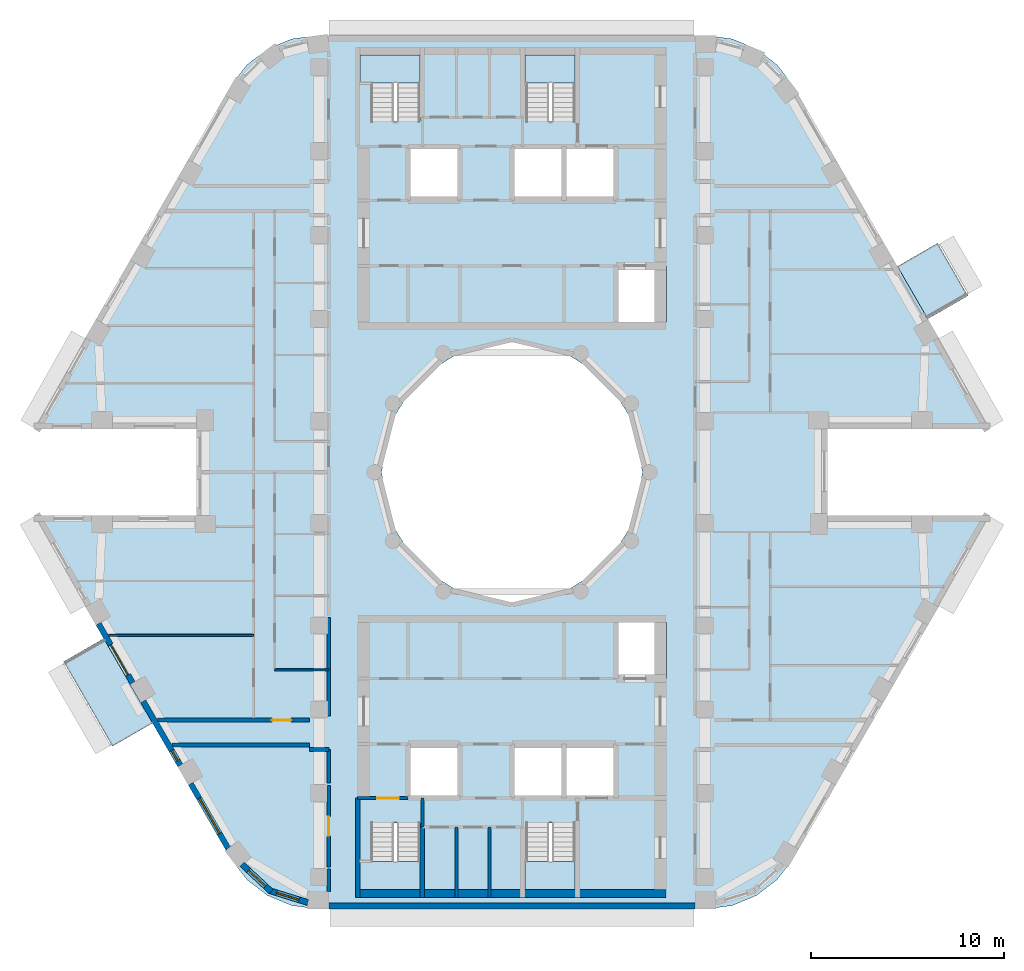
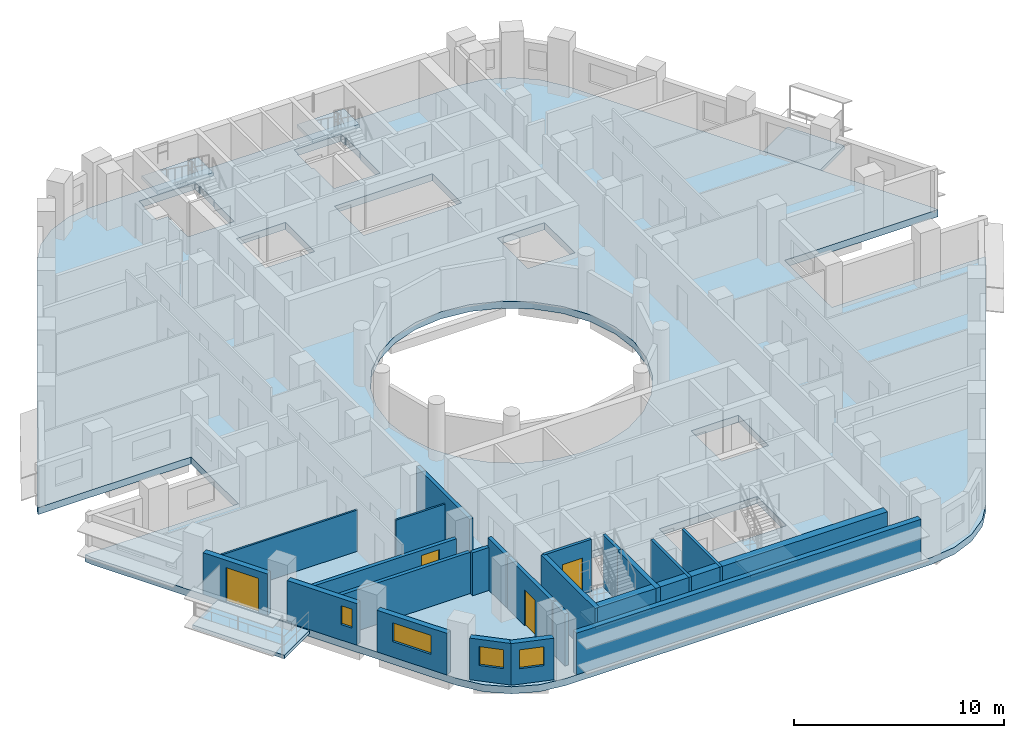
# One storey, part 2 of 16: 22 walls, 7 slabs, 4 doors, 4 windows, 8 openings, 4 elements without a shape of their own.
"""IFC4 building model written with IfcOpenShell, lengths in metres."""

from ifc_helpers import new_model, si_unit, direction, frame, frame_2d, origin, place, context, subcontext, project, spatial, polyline, rectangle, outline, extrude, material, layer, layer_set, type_object, element, fill, aggregate, save


model = new_model("IFC4")

# Units and contexts
model_context = context("Model", 3, precision=1e-05, world=origin(), true_north=direction((0.0, 1.0)))
body_context = subcontext(model_context, "Body", "Model", "MODEL_VIEW")
ifc_project = project(units=[si_unit("LENGTHUNIT", "METRE"), si_unit("AREAUNIT", "SQUARE_METRE"), si_unit("VOLUMEUNIT", "CUBIC_METRE"), si_unit("PLANEANGLEUNIT", "RADIAN"), si_unit("MASSUNIT", "GRAM", prefix="KILO")], contexts=[model_context])

# Site, building, storey
site_placement = place(None, origin())
site = spatial("IfcSite", under=ifc_project, at=site_placement, CompositionType="ELEMENT")
building_placement = place(site_placement, origin())
building = spatial("IfcBuilding", under=site, at=building_placement, Name="Nakaniwa Court", CompositionType="ELEMENT")
storey_placement = place(building_placement, frame((0.0, 0.0, 226.199951171875)))
storey = spatial("IfcBuildingStorey", under=building, at=storey_placement, Name="L58", CompositionType="ELEMENT", Elevation=226.199951171875)

# Slabs
ifc_material_1 = material(Name="Charcoal ceramic paver")
ifc_layer_1 = layer(ifc_material_1, 0.02, Name="Ceramic paver")
ifc_material_2 = material(Name="Cement sand screed")
ifc_layer_2 = layer(ifc_material_2, 0.03, Name="Falls screed")
ifc_material_3 = material(Name="Concrete C40/50", Category="concrete")
ifc_layer_3 = layer(ifc_material_3, 0.15, Name="Balcony slab")
ifc_layer_set_1 = layer_set([ifc_layer_1, ifc_layer_2, ifc_layer_3], Name="Concrete C40/50 balcony slab with ceramic paver finish")
slab_type_1 = type_object("IfcSlabType", Name="Balcony slab 200", PredefinedType="FLOOR", material=ifc_layer_set_1)
slab_1_placement = place(storey_placement, frame((0.0, 0.0, -0.25)))
element("IfcSlab", 1, at=slab_1_placement, inside=storey, type_object=slab_type_1, Name="L58 balcony 01", PredefinedType="FLOOR", context=body_context, shape_type="SweptSolid", body=[
    extrude(outline(polyline([(58.823974609375, 71.377685546875), (61.357421875, 66.989990234375), (59.27880859375, 65.789794921875), (56.74560546875, 70.177734375), (58.823974609375, 71.377685546875)])), origin(), (0.0, 0.0, 1.0), 0.199951171875),
])
slab_2_placement = place(storey_placement, frame((0.0, 0.0, -0.25)))
element("IfcSlab", 2, at=slab_2_placement, inside=storey, type_object=slab_type_1, Name="L58 balcony 02", PredefinedType="FLOOR", context=body_context, shape_type="SweptSolid", body=[
    extrude(outline(polyline([(101.563720703125, 87.95068359375), (99.990234375, 90.676025390625), (102.068603515625, 91.876220703125), (103.64208984375, 89.15087890625), (101.563720703125, 87.95068359375)])), origin(), (0.0, 0.0, 1.0), 0.199951171875),
])
ifc_material_4 = material(Name="Concrete C80/100", Category="concrete")
ifc_layer_4 = layer(ifc_material_4, 0.409912109375)
ifc_layer_set_2 = layer_set([ifc_layer_4], Name="Concrete C80/100")
slab_type_2 = type_object("IfcSlabType", Name="Concrete C80/100 post tensioned floor slab 410", PredefinedType="FLOOR", material=ifc_layer_set_2)
slab_3_placement = place(storey_placement, frame((0.0, 0.0, -0.409912109375)))
element("IfcSlab", 3, at=slab_3_placement, inside=storey, type_object=slab_type_2, Name="FLOOR SLAB", PredefinedType="FLOOR", context=body_context, shape_type="SweptSolid", body=[
    extrude(outline(polyline([(96.349609375, 82.25), (104.7978515625, 82.25), (104.65283203125, 82.60009765625), (94.578125, 100.050048828125), (93.751708984375, 101.126953125), (92.6748046875, 101.953369140625), (91.420654296875, 102.472900390625), (90.07470703125, 102.64990234375), (69.92529296875, 102.64990234375), (68.579345703125, 102.472900390625), (67.3251953125, 101.953369140625), (66.248291015625, 101.126953125), (65.421875, 100.050048828125), (55.34716796875, 82.60009765625), (55.2021484375, 82.25), (63.650390625, 82.25), (63.650390625, 77.75), (55.2021484375, 77.75), (55.34716796875, 77.39990234375), (65.421875, 59.949951171875), (66.248291015625, 58.873046875), (67.3251953125, 58.046630859375), (68.579345703125, 57.527099609375), (69.92529296875, 57.35009765625), (90.07470703125, 57.35009765625), (91.420654296875, 57.527099609375), (92.6748046875, 58.046630859375), (93.751708984375, 58.873046875), (94.578125, 59.949951171875), (104.65283203125, 77.39990234375), (104.7978515625, 77.75), (96.349609375, 77.75), (96.349609375, 82.25)]), holes=[polyline([(81.501953125, 86.580810546875), (80.0, 86.75), (78.498046875, 86.580810546875), (77.0712890625, 86.08154296875), (75.79150390625, 85.27734375), (74.72265625, 84.20849609375), (73.91845703125, 82.9287109375), (73.419189453125, 81.501953125), (73.25, 80.0), (73.419189453125, 78.498046875), (73.91845703125, 77.0712890625), (74.72265625, 75.79150390625), (75.79150390625, 74.72265625), (77.0712890625, 73.91845703125), (78.498046875, 73.419189453125), (80.0, 73.25), (81.501953125, 73.419189453125), (82.9287109375, 73.91845703125), (84.20849609375, 74.72265625), (85.27734375, 75.79150390625), (86.08154296875, 77.0712890625), (86.580810546875, 78.498046875), (86.75, 80.0), (86.580810546875, 81.501953125), (86.08154296875, 82.9287109375), (85.27734375, 84.20849609375), (84.20849609375, 85.27734375), (82.9287109375, 86.08154296875), (81.501953125, 86.580810546875)]), polyline([(72.675048828125, 61.81005859375), (72.675048828125, 59.864990234375), (72.0849609375, 59.864990234375), (72.0849609375, 58.4599609375), (72.125, 58.4599609375), (72.125, 58.074951171875), (75.22509765625, 58.074951171875), (75.22509765625, 58.4599609375), (75.264892578125, 58.4599609375), (75.264892578125, 59.864990234375), (75.22509765625, 59.864990234375), (75.22509765625, 61.81005859375), (72.675048828125, 61.81005859375)]), polyline([(77.300048828125, 65.89990234375), (74.60009765625, 65.89990234375), (74.60009765625, 63.10009765625), (77.300048828125, 63.10009765625), (77.300048828125, 65.89990234375)]), polyline([(80.0, 65.89990234375), (80.0, 63.10009765625), (82.699951171875, 63.10009765625), (85.39990234375, 63.10009765625), (85.39990234375, 65.89990234375), (82.699951171875, 65.89990234375), (80.0, 65.89990234375)]), polyline([(77.300048828125, 96.89990234375), (74.60009765625, 96.89990234375), (74.60009765625, 94.10009765625), (77.300048828125, 94.10009765625), (77.300048828125, 96.89990234375)]), polyline([(80.0, 96.89990234375), (80.0, 94.10009765625), (82.699951171875, 94.10009765625), (85.39990234375, 94.10009765625), (85.39990234375, 96.89990234375), (82.699951171875, 96.89990234375), (80.0, 96.89990234375)]), polyline([(75.264892578125, 100.135009765625), (75.264892578125, 101.5400390625), (75.22509765625, 101.5400390625), (75.22509765625, 101.925048828125), (72.125, 101.925048828125), (72.125, 101.5400390625), (72.0849609375, 101.5400390625), (72.0849609375, 100.135009765625), (72.675048828125, 100.135009765625), (72.675048828125, 98.18994140625), (75.22509765625, 98.18994140625), (75.22509765625, 100.135009765625), (75.264892578125, 100.135009765625)]), polyline([(83.27490234375, 61.81005859375), (80.72509765625, 61.81005859375), (80.72509765625, 59.864990234375), (80.635009765625, 59.864990234375), (80.635009765625, 58.4599609375), (80.675048828125, 58.4599609375), (80.675048828125, 58.074951171875), (83.27490234375, 58.074951171875), (83.27490234375, 58.4599609375), (83.31494140625, 58.4599609375), (83.31494140625, 59.864990234375), (83.27490234375, 59.864990234375), (83.27490234375, 61.81005859375)]), polyline([(88.0, 72.199951171875), (85.39990234375, 72.199951171875), (85.39990234375, 69.300048828125), (88.0, 69.300048828125), (88.0, 72.199951171875)]), polyline([(88.0, 90.699951171875), (85.39990234375, 90.699951171875), (85.39990234375, 87.800048828125), (88.0, 87.800048828125), (88.0, 90.699951171875)]), polyline([(83.31494140625, 100.135009765625), (83.31494140625, 101.5400390625), (83.27490234375, 101.5400390625), (83.27490234375, 101.925048828125), (80.675048828125, 101.925048828125), (80.675048828125, 101.5400390625), (80.635009765625, 101.5400390625), (80.635009765625, 100.135009765625), (80.72509765625, 100.135009765625), (80.72509765625, 98.18994140625), (83.27490234375, 98.18994140625), (83.27490234375, 100.135009765625), (83.31494140625, 100.135009765625)])]), origin(), (0.0, 0.0, 1.0), 0.409912109375),
])

# Stair, slab
stair_type = type_object("IfcStairType", Name="Dog leg stair 1200 wide 18 risers", PredefinedType="HALF_TURN_STAIR", material=ifc_material_4)
stair_1_placement = place(storey_placement, origin())
stair_1 = element("IfcStair", 4, at=stair_1_placement, inside=storey, type_object=stair_type, Name="L58 Stair ST1", PredefinedType="HALF_TURN_STAIR")
ifc_layer_5 = layer(ifc_material_4, 0.199951171875)
ifc_layer_set_3 = layer_set([ifc_layer_5], Name="Concrete C80/100")
slab_type_3 = type_object("IfcSlabType", Name="Stair landing concrete", PredefinedType="LANDING", material=ifc_layer_set_3)
slab_4_placement = place(storey_placement, frame((0.0, 0.0, 1.449951171875)))
slab_4 = element("IfcSlab", 5, at=slab_4_placement, type_object=slab_type_3, Name="ST1 landing 1", PredefinedType="LANDING", context=body_context, shape_type="SweptSolid", body=[
    extrude(outline(polyline([(75.22509765625, 100.175048828125), (75.22509765625, 101.64990234375), (72.125, 101.64990234375), (72.125, 100.175048828125), (75.22509765625, 100.175048828125)])), origin(), (0.0, 0.0, 1.0), 0.2001953125),
])
aggregate(stair_1, [slab_4])

stair_2_placement = place(storey_placement, origin())
stair_2 = element("IfcStair", 6, at=stair_2_placement, inside=storey, type_object=stair_type, Name="L58 Stair ST2", PredefinedType="HALF_TURN_STAIR")
slab_5_placement = place(storey_placement, frame((0.0, 0.0, 1.449951171875)))
slab_5 = element("IfcSlab", 7, at=slab_5_placement, type_object=slab_type_3, Name="ST2 landing 1", PredefinedType="LANDING", context=body_context, shape_type="SweptSolid", body=[
    extrude(outline(polyline([(83.27490234375, 100.175048828125), (83.27490234375, 101.64990234375), (80.675048828125, 101.64990234375), (80.675048828125, 100.175048828125), (83.27490234375, 100.175048828125)])), origin(), (0.0, 0.0, 1.0), 0.2001953125),
])
aggregate(stair_2, [slab_5])

stair_3_placement = place(storey_placement, origin())
stair_3 = element("IfcStair", 8, at=stair_3_placement, inside=storey, type_object=stair_type, Name="L58 Stair ST3", PredefinedType="HALF_TURN_STAIR")
slab_6_placement = place(storey_placement, frame((0.0, 0.0, 1.449951171875)))
slab_6 = element("IfcSlab", 9, at=slab_6_placement, type_object=slab_type_3, Name="ST3 landing 1", PredefinedType="LANDING", context=body_context, shape_type="SweptSolid", body=[
    extrude(outline(polyline([(75.22509765625, 58.35009765625), (75.22509765625, 59.824951171875), (72.125, 59.824951171875), (72.125, 58.35009765625), (75.22509765625, 58.35009765625)])), origin(), (0.0, 0.0, 1.0), 0.2001953125),
])
aggregate(stair_3, [slab_6])

stair_4_placement = place(storey_placement, origin())
stair_4 = element("IfcStair", 10, at=stair_4_placement, inside=storey, type_object=stair_type, Name="L58 Stair ST4", PredefinedType="HALF_TURN_STAIR")
slab_7_placement = place(storey_placement, frame((0.0, 0.0, 1.449951171875)))
slab_7 = element("IfcSlab", 11, at=slab_7_placement, type_object=slab_type_3, Name="ST4 landing 1", PredefinedType="LANDING", context=body_context, shape_type="SweptSolid", body=[
    extrude(outline(polyline([(83.27490234375, 58.35009765625), (83.27490234375, 59.824951171875), (80.675048828125, 59.824951171875), (80.675048828125, 58.35009765625), (83.27490234375, 58.35009765625)])), origin(), (0.0, 0.0, 1.0), 0.2001953125),
])
aggregate(stair_4, [slab_7])

# Walls
ifc_material_5 = material(Name="Acoustic double stud partition")
ifc_layer_6 = layer(ifc_material_5, 0.199951171875)
ifc_layer_set_4 = layer_set([ifc_layer_6], Name="Acoustic double stud partition")
wall_type_1 = type_object("IfcWallType", Name="Acoustic double stud partition 200", PredefinedType="PARTITIONING", material=ifc_layer_set_4)
wall_1_placement = place(storey_placement, frame((62.36181640625, 65.85009765625, 0.0), z_axis=(0.0, 0.0, 1.0), x_axis=(1.0, 0.0, 0.0)))
element("IfcWall", 12, at=wall_1_placement, inside=storey, type_object=wall_type_1, Name="Partition PW-080", PredefinedType="PARTITIONING", context=body_context, shape_type="SweptSolid", body=[
    extrude(rectangle(XDim=7.13818359375, YDim=0.199951171875, at=frame_2d((3.569091796875, 0.0))), origin(), (0.0, 0.0, 1.0), 2.405029296875),
])
wall_2_placement = place(storey_placement, frame((69.5, 65.625, 0.0), z_axis=(0.0, 0.0, 1.0), x_axis=(1.0, 0.0, 0.0)))
element("IfcWall", 13, at=wall_2_placement, inside=storey, type_object=wall_type_1, Name="Partition PW-082", PredefinedType="PARTITIONING", context=body_context, shape_type="SweptSolid", body=[
    extrude(rectangle(XDim=1.0, YDim=0.199951171875, at=frame_2d((0.5, 0.0))), origin(), (0.0, 0.0, 1.0), 2.505126953125),
])

# Wall, opening, door
wall_3_placement = place(storey_placement, frame((61.611328125, 67.14990234375, 0.0), z_axis=(0.0, 0.0, 1.0), x_axis=(1.0, 0.0, 0.0)))
wall_3 = element("IfcWall", 14, at=wall_3_placement, inside=storey, type_object=wall_type_1, Name="Partition PW-084", PredefinedType="PARTITIONING", context=body_context, shape_type="SweptSolid", body=[
    extrude(rectangle(XDim=7.888671875, YDim=0.199951171875, at=frame_2d((3.9443359375, 0.0))), origin(), (0.0, 0.0, 1.0), 2.405029296875),
])
opening_1_placement = place(wall_3_placement, frame((5.93896484375, 0.0, 0.0)))
opening_1 = element("IfcOpeningElement", 15, at=opening_1_placement, cuts=wall_3, Name="Opening D-01-03", PredefinedType="OPENING", context=body_context, shape_type="SweptSolid", body=[
    extrude(rectangle(XDim=1.0, YDim=2.10009765625, at=frame_2d((0.5, 1.050048828125))), frame((0.0, 0.10986328125, 0.0), z_axis=(0.0, -1.0, 0.0), x_axis=(1.0, 0.0, 0.0)), (0.0, 0.0, 1.0), 0.219970703125),
])
ifc_material_6 = material(Name="Solid core timber door set, black veneer", Category="wood")
door_type_1 = type_object("IfcDoorType", Name="Flat entrance door 1000", OperationType="NOTDEFINED", PredefinedType="DOOR", material=ifc_material_6)
door_1_placement = place(opening_1_placement, origin())
door_1 = element("IfcDoor", 16, at=door_1_placement, inside=storey, type_object=door_type_1, Name="Door D-01-03 L58-043", OperationType="SINGLE_SWING_RIGHT", OverallHeight=2.10009765625, OverallWidth=1.0, PredefinedType="DOOR", context=body_context, shape_type="SweptSolid", body=[
    extrude(rectangle(XDim=1.0, YDim=2.10009765625, at=frame_2d((0.5, 1.050048828125))), frame((0.0, 0.02490234375, 0.0), z_axis=(0.0, -1.0, 0.0), x_axis=(1.0, 0.0, 0.0)), (0.0, 0.0, 1.0), 0.050048828125),
])
fill(opening_1, door_1)

# Wall
wall_4_placement = place(storey_placement, frame((70.5, 58.26708984375, 0.0), z_axis=(0.0, 0.0, 1.0), x_axis=(0.0, 1.0, 0.0)))
element("IfcWall", 17, at=wall_4_placement, inside=storey, type_object=wall_type_1, Name="Partition PW-086", PredefinedType="PARTITIONING", context=body_context, shape_type="SweptSolid", body=[
    extrude(rectangle(XDim=1.14599609375, YDim=0.199951171875, at=frame_2d((0.572998046875, 0.0))), origin(), (0.0, 0.0, 1.0), 3.025146484375),
])

# Wall, opening, door
wall_5_placement = place(storey_placement, frame((70.5, 59.527099609375, 0.0), z_axis=(0.0, 0.0, 1.0), x_axis=(0.0, 1.0, 0.0)))
wall_5 = element("IfcWall", 18, at=wall_5_placement, inside=storey, type_object=wall_type_1, Name="Partition PW-087", PredefinedType="PARTITIONING", context=body_context, shape_type="SweptSolid", body=[
    extrude(rectangle(XDim=4.23583984375, YDim=0.199951171875, at=frame_2d((2.117919921875, 0.0))), origin(), (0.0, 0.0, 1.0), 3.025146484375),
])
opening_2_placement = place(wall_5_placement, frame((1.617919921875, 0.0, 0.0)))
opening_2 = element("IfcOpeningElement", 19, at=opening_2_placement, cuts=wall_5, Name="Opening D-02-04", PredefinedType="OPENING", context=body_context, shape_type="SweptSolid", body=[
    extrude(rectangle(XDim=1.0, YDim=2.10009765625, at=frame_2d((0.5, 1.050048828125))), frame((0.0, 0.10986328125, 0.0), z_axis=(0.0, -1.0, 0.0), x_axis=(1.0, 0.0, 0.0)), (0.0, 0.0, 1.0), 0.219970703125),
])
door_type_2 = type_object("IfcDoorType", Name="Internal door 1000", OperationType="NOTDEFINED", PredefinedType="DOOR", material=ifc_material_6)
door_2_placement = place(opening_2_placement, origin())
door_2 = element("IfcDoor", 20, at=door_2_placement, inside=storey, type_object=door_type_2, Name="Door D-02-04 L58-042", OperationType="SINGLE_SWING_LEFT", OverallHeight=2.10009765625, OverallWidth=1.0, PredefinedType="DOOR", context=body_context, shape_type="SweptSolid", body=[
    extrude(rectangle(XDim=1.0, YDim=2.10009765625, at=frame_2d((0.5, 1.050048828125))), frame((0.0, 0.02490234375, 0.0), z_axis=(0.0, -1.0, 0.0), x_axis=(1.0, 0.0, 0.0)), (0.0, 0.0, 1.0), 0.050048828125),
])
fill(opening_2, door_2)

# Walls
wall_6_placement = place(storey_placement, frame((70.5, 63.876953125, 0.0), z_axis=(0.0, 0.0, 1.0), x_axis=(0.0, 1.0, 0.0)))
element("IfcWall", 21, at=wall_6_placement, inside=storey, type_object=wall_type_1, Name="Partition PW-088", PredefinedType="PARTITIONING", context=body_context, shape_type="SweptSolid", body=[
    extrude(rectangle(XDim=1.7509765625, YDim=0.199951171875, at=frame_2d((0.87548828125, 0.0))), origin(), (0.0, 0.0, 1.0), 3.025146484375),
])
wall_7_placement = place(storey_placement, frame((70.5, 67.3720703125, 0.0), z_axis=(0.0, 0.0, 1.0), x_axis=(0.0, 1.0, 0.0)))
element("IfcWall", 22, at=wall_7_placement, inside=storey, type_object=wall_type_1, Name="Partition PW-089", PredefinedType="PARTITIONING", context=body_context, shape_type="SweptSolid", body=[
    extrude(rectangle(XDim=5.0908203125, YDim=0.199951171875, at=frame_2d((2.54541015625, 0.0))), origin(), (0.0, 0.0, 1.0), 3.025146484375),
])

# Wall, opening, door
ifc_material_7 = material(Name="Charcoal ceramic cladding")
ifc_layer_7 = layer(ifc_material_7, 0.02, Name="Ceramic cladding")
ifc_material_8 = material(Name="Ventilated air cavity")
ifc_layer_8 = layer(ifc_material_8, 0.04, ventilated=True, Name="Ventilated cavity")
ifc_material_9 = material(Name="Mineral wool insulation")
ifc_layer_9 = layer(ifc_material_9, 0.1, Name="Insulation")
ifc_material_10 = material(Name="Cement bonded sheathing board")
ifc_layer_10 = layer(ifc_material_10, 0.012, Name="Sheathing")
ifc_material_11 = material(Name="Cold-formed galvanised stud frame with mineral wool infill")
ifc_layer_11 = layer(ifc_material_11, 0.1, Name="Stud frame")
ifc_material_12 = material(Name="Fire-rated gypsum plasterboard lining")
ifc_layer_12 = layer(ifc_material_12, 0.028, Name="Lining")
ifc_layer_set_5 = layer_set([ifc_layer_7, ifc_layer_8, ifc_layer_9, ifc_layer_10, ifc_layer_11, ifc_layer_12], Name="Charcoal ceramic faced external wall system")
wall_type_2 = type_object("IfcWallType", Name="Black ceramic faced external wall 300", PredefinedType="SOLIDWALL", material=ifc_layer_set_5)
wall_8_placement = place(storey_placement, frame((58.55419921875, 72.14501953125, 0.0), z_axis=(0.0, 0.0, 1.0), x_axis=(0.500010404316, -0.866019396766, 0.0)))
wall_8 = element("IfcWall", 23, at=wall_8_placement, inside=storey, type_object=wall_type_2, Name="L58 external wall 21", PredefinedType="SOLIDWALL", context=body_context, shape_type="SweptSolid", body=[
    extrude(rectangle(XDim=3.54736328125, YDim=0.300048828125, at=frame_2d((1.773681640625, 0.0))), origin(), (0.0, 0.0, 1.0), 2.425048828125),
])
opening_3_placement = place(wall_8_placement, frame((1.26123046875, 0.0, 0.0)))
opening_3 = element("IfcOpeningElement", 24, at=opening_3_placement, cuts=wall_8, Name="Opening XD12.02", PredefinedType="OPENING", context=body_context, shape_type="SweptSolid", body=[
    extrude(rectangle(XDim=1.800048828125, YDim=2.0, at=frame_2d((0.89990234375, 1.0))), frame((0.0, 0.159912109375, 0.0), z_axis=(0.0, -1.0, 0.0), x_axis=(1.0, 0.0, 0.0)), (0.0, 0.0, 1.0), 0.320068359375),
])
ifc_material_13 = material(Name="Black powder-coated aluminium frame with dark laminated glass", Category="aluminium")
door_type_3 = type_object("IfcDoorType", Name="Balcony sliding door 1800x2000", OperationType="SLIDING_TO_LEFT", PredefinedType="DOOR", material=ifc_material_13)
door_3_placement = place(opening_3_placement, origin())
door_3 = element("IfcDoor", 25, at=door_3_placement, inside=storey, type_object=door_type_3, Name="L58 balcony sliding door 01", OperationType="SLIDING_TO_LEFT", OverallHeight=2.0, OverallWidth=1.800048828125, PredefinedType="DOOR", context=body_context, shape_type="SweptSolid", body=[
    extrude(rectangle(XDim=1.800048828125, YDim=2.0, at=frame_2d((0.89990234375, 1.0))), frame((0.0, 0.02490234375, 0.0), z_axis=(0.0, -1.0, 0.0), x_axis=(1.0, 0.0, 0.0)), (0.0, 0.0, 1.0), 0.050048828125),
])
fill(opening_3, door_3)

# Wall, opening, window
wall_9_placement = place(storey_placement, frame((60.873779296875, 68.12744140625, 0.0), z_axis=(0.0, 0.0, 1.0), x_axis=(0.499984490703, -0.866034357896, 0.0)))
wall_9 = element("IfcWall", 26, at=wall_9_placement, inside=storey, type_object=wall_type_2, Name="L58 external wall 22", PredefinedType="SOLIDWALL", context=body_context, shape_type="SweptSolid", body=[
    extrude(rectangle(XDim=3.84423828125, YDim=0.300048828125, at=frame_2d((1.922119140625, 0.0))), origin(), (0.0, 0.0, 1.0), 2.425048828125),
])
opening_4_placement = place(wall_9_placement, frame((2.961181640625, 0.0, 0.89990234375)))
opening_4 = element("IfcOpeningElement", 27, at=opening_4_placement, cuts=wall_9, Name="Opening W8.21", PredefinedType="OPENING", context=body_context, shape_type="SweptSolid", body=[
    extrude(rectangle(XDim=0.60009765625, YDim=1.10009765625, at=frame_2d((0.300048828125, 0.550048828125))), frame((0.0, 0.159912109375, 0.0), z_axis=(0.0, -1.0, 0.0), x_axis=(1.0, 0.0, 0.0)), (0.0, 0.0, 1.0), 0.320068359375),
])
ifc_material_14 = material(Name="Black anodised aluminium frame with dark low-E laminated double glazing", Category="aluminium")
window_type_1 = type_object("IfcWindowType", Name="Dark glass window 600x1100 sill 900", PartitioningType="SINGLE_PANEL", PredefinedType="WINDOW", material=ifc_material_14)
window_1_placement = place(opening_4_placement, origin())
window_1 = element("IfcWindow", 28, at=window_1_placement, inside=storey, type_object=window_type_1, Name="L58 habitable room window 22-2", OverallHeight=1.10009765625, OverallWidth=0.60009765625, PartitioningType="SINGLE_PANEL", PredefinedType="WINDOW", context=body_context, shape_type="SweptSolid", body=[
    extrude(rectangle(XDim=0.60009765625, YDim=1.10009765625, at=frame_2d((0.300048828125, 0.550048828125))), frame((0.0, 0.030029296875, 0.0), z_axis=(0.0, -1.0, 0.0), x_axis=(1.0, 0.0, 0.0)), (0.0, 0.0, 1.0), 0.06005859375),
])
fill(opening_4, window_1)

wall_10_placement = place(storey_placement, frame((63.342041015625, 63.8525390625, 0.0), z_axis=(0.0, 0.0, 1.0), x_axis=(0.500011218404, -0.866018926739, 0.0)))
wall_10 = element("IfcWall", 29, at=wall_10_placement, inside=storey, type_object=wall_type_2, Name="L58 external wall 23", PredefinedType="SOLIDWALL", context=body_context, shape_type="SweptSolid", body=[
    extrude(rectangle(XDim=3.87890625, YDim=0.300048828125, at=frame_2d((1.939453125, 0.0))), origin(), (0.0, 0.0, 1.0), 2.425048828125),
])
opening_5_placement = place(wall_10_placement, frame((0.878173828125, 0.0, 0.89990234375)))
opening_5 = element("IfcOpeningElement", 30, at=opening_5_placement, cuts=wall_10, Name="Opening W7.22", PredefinedType="OPENING", context=body_context, shape_type="SweptSolid", body=[
    extrude(rectangle(XDim=2.10009765625, YDim=1.10009765625, at=frame_2d((1.050048828125, 0.550048828125))), frame((0.0, 0.159912109375, 0.0), z_axis=(0.0, -1.0, 0.0), x_axis=(1.0, 0.0, 0.0)), (0.0, 0.0, 1.0), 0.320068359375),
])
window_type_2 = type_object("IfcWindowType", Name="Dark glass window 2100x1100 sill 900", PartitioningType="SINGLE_PANEL", PredefinedType="WINDOW", material=ifc_material_14)
window_2_placement = place(opening_5_placement, origin())
window_2 = element("IfcWindow", 31, at=window_2_placement, inside=storey, type_object=window_type_2, Name="L58 habitable room window 23-0", OverallHeight=1.10009765625, OverallWidth=2.10009765625, PartitioningType="SINGLE_PANEL", PredefinedType="WINDOW", context=body_context, shape_type="SweptSolid", body=[
    extrude(rectangle(XDim=2.10009765625, YDim=1.10009765625, at=frame_2d((1.050048828125, 0.550048828125))), frame((0.0, 0.030029296875, 0.0), z_axis=(0.0, -1.0, 0.0), x_axis=(1.0, 0.0, 0.0)), (0.0, 0.0, 1.0), 0.06005859375),
])
fill(opening_5, window_2)

wall_11_placement = place(storey_placement, frame((65.99609375, 59.665283203125, 0.0), z_axis=(0.0, 0.0, 1.0), x_axis=(0.731942518471, -0.6813663843, 0.0)))
wall_11 = element("IfcWall", 32, at=wall_11_placement, inside=storey, type_object=wall_type_2, Name="L58 external wall 24", PredefinedType="SOLIDWALL", context=body_context, shape_type="SweptSolid", body=[
    extrude(rectangle(XDim=2.07568359375, YDim=0.300048828125, at=frame_2d((1.037841796875, 0.0))), origin(), (0.0, 0.0, 1.0), 2.425048828125),
])
opening_6_placement = place(wall_11_placement, frame((0.464111328125, 0.0, 0.89990234375)))
opening_6 = element("IfcOpeningElement", 33, at=opening_6_placement, cuts=wall_11, Name="Opening W6.23", PredefinedType="OPENING", context=body_context, shape_type="SweptSolid", body=[
    extrude(rectangle(XDim=1.199951171875, YDim=1.10009765625, at=frame_2d((0.60009765625, 0.550048828125))), frame((0.0, 0.159912109375, 0.0), z_axis=(0.0, -1.0, 0.0), x_axis=(1.0, 0.0, 0.0)), (0.0, 0.0, 1.0), 0.320068359375),
])
window_type_3 = type_object("IfcWindowType", Name="Dark glass window 1200x1100 sill 900", PartitioningType="SINGLE_PANEL", PredefinedType="WINDOW", material=ifc_material_14)
window_3_placement = place(opening_6_placement, origin())
window_3 = element("IfcWindow", 34, at=window_3_placement, inside=storey, type_object=window_type_3, Name="L58 habitable room window 24-0", OverallHeight=1.10009765625, OverallWidth=1.199951171875, PartitioningType="SINGLE_PANEL", PredefinedType="WINDOW", context=body_context, shape_type="SweptSolid", body=[
    extrude(rectangle(XDim=1.199951171875, YDim=1.10009765625, at=frame_2d((0.60009765625, 0.550048828125))), frame((0.0, 0.030029296875, 0.0), z_axis=(0.0, -1.0, 0.0), x_axis=(1.0, 0.0, 0.0)), (0.0, 0.0, 1.0), 0.06005859375),
])
fill(opening_6, window_3)

wall_12_placement = place(storey_placement, frame((67.406494140625, 58.3076171875, 0.0), z_axis=(0.0, 0.0, 1.0), x_axis=(0.954761314907, -0.297373219301, 0.0)))
wall_12 = element("IfcWall", 35, at=wall_12_placement, inside=storey, type_object=wall_type_2, Name="L58 external wall 25", PredefinedType="SOLIDWALL", context=body_context, shape_type="SweptSolid", body=[
    extrude(rectangle(XDim=2.096923828125, YDim=0.300048828125, at=frame_2d((1.04833984375, 0.0))), origin(), (0.0, 0.0, 1.0), 2.425048828125),
])
opening_7_placement = place(wall_12_placement, frame((0.409423828125, 0.0, 0.89990234375)))
opening_7 = element("IfcOpeningElement", 36, at=opening_7_placement, cuts=wall_12, Name="Opening W6.24", PredefinedType="OPENING", context=body_context, shape_type="SweptSolid", body=[
    extrude(rectangle(XDim=1.199951171875, YDim=1.10009765625, at=frame_2d((0.60009765625, 0.550048828125))), frame((0.0, 0.159912109375, 0.0), z_axis=(0.0, -1.0, 0.0), x_axis=(1.0, 0.0, 0.0)), (0.0, 0.0, 1.0), 0.320068359375),
])
window_4_placement = place(opening_7_placement, origin())
window_4 = element("IfcWindow", 37, at=window_4_placement, inside=storey, type_object=window_type_3, Name="L58 habitable room window 25-0", OverallHeight=1.10009765625, OverallWidth=1.199951171875, PartitioningType="SINGLE_PANEL", PredefinedType="WINDOW", context=body_context, shape_type="SweptSolid", body=[
    extrude(rectangle(XDim=1.199951171875, YDim=1.10009765625, at=frame_2d((0.60009765625, 0.550048828125))), frame((0.0, 0.030029296875, 0.0), z_axis=(0.0, -1.0, 0.0), x_axis=(1.0, 0.0, 0.0)), (0.0, 0.0, 1.0), 0.06005859375),
])
fill(opening_7, window_4)

# Walls
wall_13_placement = place(storey_placement, frame((70.500732421875, 57.5, 0.0), z_axis=(0.0, 0.0, 1.0), x_axis=(1.0, 0.0, 0.0)))
element("IfcWall", 38, at=wall_13_placement, inside=storey, type_object=wall_type_2, Name="L58 external wall 26", PredefinedType="SOLIDWALL", context=body_context, shape_type="SweptSolid", body=[
    extrude(rectangle(XDim=18.99267578125, YDim=0.300048828125, at=frame_2d((9.496337890625, 0.0))), origin(), (0.0, 0.0, 1.0), 2.425048828125),
])
ifc_material_15 = material(Name="Blockwork partition", Category="masonry")
ifc_layer_13 = layer(ifc_material_15, 0.14990234375)
ifc_layer_set_6 = layer_set([ifc_layer_13], Name="Blockwork partition")
wall_type_3 = type_object("IfcWallType", Name="Blockwork partition 150", PredefinedType="PARTITIONING", material=ifc_layer_set_6)
for number, where, z_axis, x_axis, name in (
    (39, (77.117919921875, 57.949951171875, 0.0), (0.0, 0.0, 1.0), (0.0, 1.0, 0.0), "Partition PW-061"),
    (40, (78.833984375, 57.949951171875, 0.0), (0.0, 0.0, 1.0), (0.0, 1.0, 0.0), "Partition PW-062"),
):
    element("IfcWall", number, at=place(storey_placement, frame(where, z_axis=z_axis, x_axis=x_axis)), inside=storey, type_object=wall_type_3, Name=name, PredefinedType="PARTITIONING", context=body_context, shape_type="SweptSolid", body=[
        extrude(rectangle(XDim=3.650146484375, YDim=0.14990234375, at=frame_2d((1.8251953125, 0.0))), origin(), (0.0, 0.0, 1.0), 3.025146484375),
    ])

# Wall, opening, door
ifc_layer_14 = layer(ifc_material_4, 0.14990234375)
ifc_layer_set_7 = layer_set([ifc_layer_14], Name="Concrete C80/100")
wall_type_4 = type_object("IfcWallType", Name="Concrete core wall 150 C80", PredefinedType="SHEAR", material=ifc_layer_set_7)
wall_14_placement = place(storey_placement, frame((72.0, 63.10009765625, -0.409912109375), z_axis=(0.0, 0.0, 1.0), x_axis=(1.0, 0.0, 0.0)))
wall_14 = element("IfcWall", 41, at=wall_14_placement, inside=storey, type_object=wall_type_4, Name="Core wall SW-47", PredefinedType="SHEAR", context=body_context, shape_type="SweptSolid", body=[
    extrude(rectangle(XDim=2.60009765625, YDim=0.14990234375, at=frame_2d((1.300048828125, 0.0))), origin(), (0.0, 0.0, 1.0), 3.43505859375),
])
opening_8_placement = place(wall_14_placement, frame((1.02001953125, 0.0, 0.409912109375)))
opening_8 = element("IfcOpeningElement", 42, at=opening_8_placement, cuts=wall_14, Name="Opening D-09-02", PredefinedType="OPENING", context=body_context, shape_type="SweptSolid", body=[
    extrude(rectangle(XDim=1.10009765625, YDim=2.10009765625, at=frame_2d((0.550048828125, 1.050048828125))), frame((0.0, 0.0849609375, 0.0), z_axis=(0.0, -1.0, 0.0), x_axis=(1.0, 0.0, 0.0)), (0.0, 0.0, 1.0), 0.169921875),
])
ifc_material_16 = material(Name="Fire rated steel door set", Category="steel")
door_type_4 = type_object("IfcDoorType", Name="Stair door 1100", OperationType="NOTDEFINED", PredefinedType="DOOR", material=ifc_material_16)
door_4_placement = place(opening_8_placement, origin())
door_4 = element("IfcDoor", 43, at=door_4_placement, inside=storey, type_object=door_type_4, Name="Door D-09-02 L58-025", OperationType="SINGLE_SWING_LEFT", OverallHeight=2.10009765625, OverallWidth=1.10009765625, PredefinedType="DOOR", context=body_context, shape_type="SweptSolid", body=[
    extrude(rectangle(XDim=1.10009765625, YDim=2.10009765625, at=frame_2d((0.550048828125, 1.050048828125))), frame((0.0, 0.02490234375, 0.0), z_axis=(0.0, -1.0, 0.0), x_axis=(1.0, 0.0, 0.0)), (0.0, 0.0, 1.0), 0.050048828125),
])
fill(opening_8, door_4)

# Walls
wall_15_placement = place(storey_placement, frame((75.35009765625, 61.596923828125, -0.409912109375), z_axis=(0.0, 0.0, 1.0), x_axis=(0.0, 1.0, 0.0)))
element("IfcWall", 44, at=wall_15_placement, inside=storey, type_object=wall_type_4, Name="Core wall SW-54", PredefinedType="SHEAR", context=body_context, shape_type="SweptSolid", body=[
    extrude(rectangle(XDim=1.503173828125, YDim=0.14990234375, at=frame_2d((0.75146484375, 0.0))), origin(), (0.0, 0.0, 1.0), 3.43505859375),
])
ifc_layer_15 = layer(ifc_material_4, 0.25)
ifc_layer_set_8 = layer_set([ifc_layer_15], Name="Concrete C80/100")
wall_type_5 = type_object("IfcWallType", Name="Concrete core wall 250 C80", PredefinedType="SHEAR", material=ifc_layer_set_8)
wall_16_placement = place(storey_placement, frame((72.0, 57.949951171875, -0.409912109375), z_axis=(0.0, 0.0, 1.0), x_axis=(0.0, 1.0, 0.0)))
element("IfcWall", 45, at=wall_16_placement, inside=storey, type_object=wall_type_5, Name="Core wall SW-56", PredefinedType="SHEAR", context=body_context, shape_type="SweptSolid", body=[
    extrude(rectangle(XDim=5.150146484375, YDim=0.25, at=frame_2d((2.5751953125, 0.0))), origin(), (0.0, 0.0, 1.0), 3.43505859375),
])
ifc_layer_16 = layer(ifc_material_4, 0.39990234375)
ifc_layer_set_9 = layer_set([ifc_layer_16], Name="Concrete C80/100")
wall_type_6 = type_object("IfcWallType", Name="Concrete core wall 400 C80", PredefinedType="SHEAR", material=ifc_layer_set_9)
wall_17_placement = place(storey_placement, frame((72.00390625, 58.14990234375, -0.409912109375), z_axis=(0.0, 0.0, 1.0), x_axis=(1.0, 0.0, 0.0)))
element("IfcWall", 46, at=wall_17_placement, inside=storey, type_object=wall_type_6, Name="Core wall SW-131", PredefinedType="SHEAR", context=body_context, shape_type="SweptSolid", body=[
    extrude(rectangle(XDim=15.9921875, YDim=0.39990234375, at=frame_2d((7.99609375, 0.0))), origin(), (0.0, 0.0, 1.0), 3.43505859375),
])
ifc_layer_17 = layer(ifc_material_4, 0.25)
ifc_layer_set_10 = layer_set([ifc_layer_17], Name="Concrete C80/100")
wall_type_7 = type_object("IfcWallType", Name="Concrete shaft wall 250 C80", PredefinedType="SHEAR", material=ifc_layer_set_10)
wall_18_placement = place(storey_placement, frame((75.35009765625, 57.949951171875, -0.409912109375), z_axis=(0.0, 0.0, 1.0), x_axis=(0.0, 1.0, 0.0)))
element("IfcWall", 47, at=wall_18_placement, inside=storey, type_object=wall_type_7, Name="Core wall SW-55", PredefinedType="SHEAR", context=body_context, shape_type="SweptSolid", body=[
    extrude(rectangle(XDim=3.653076171875, YDim=0.25, at=frame_2d((1.82666015625, 0.0))), origin(), (0.0, 0.0, 1.0), 3.43505859375),
])
ifc_material_17 = material(Name="Single stud plasterboard partition")
ifc_layer_18 = layer(ifc_material_17, 0.10009765625)
ifc_layer_set_11 = layer_set([ifc_layer_18], Name="Single stud plasterboard partition")
wall_type_8 = type_object("IfcWallType", Name="Single stud plasterboard partition 100", PredefinedType="PARTITIONING", material=ifc_layer_set_11)
wall_19_placement = place(storey_placement, frame((67.699951171875, 69.75, 0.0), z_axis=(0.0, 0.0, 1.0), x_axis=(1.0, 0.0, 0.0)))
element("IfcWall", 48, at=wall_19_placement, inside=storey, type_object=wall_type_8, Name="Partition PW-101", PredefinedType="PARTITIONING", context=body_context, shape_type="SweptSolid", body=[
    extrude(rectangle(XDim=2.800048828125, YDim=0.10009765625, at=frame_2d((1.39990234375, 0.0))), origin(), (0.0, 0.0, 1.0), 2.505126953125),
])
wall_20_placement = place(storey_placement, frame((59.078125, 71.5380859375, 0.0), z_axis=(0.0, 0.0, 1.0), x_axis=(1.0, 0.0, 0.0)))
element("IfcWall", 49, at=wall_20_placement, inside=storey, type_object=wall_type_8, Name="Partition PW-119", PredefinedType="PARTITIONING", context=body_context, shape_type="SweptSolid", body=[
    extrude(rectangle(XDim=7.52197265625, YDim=0.10009765625, at=frame_2d((3.760986328125, 0.0))), origin(), (0.0, 0.0, 1.0), 2.405029296875),
])

save(model, "model.ifc")
